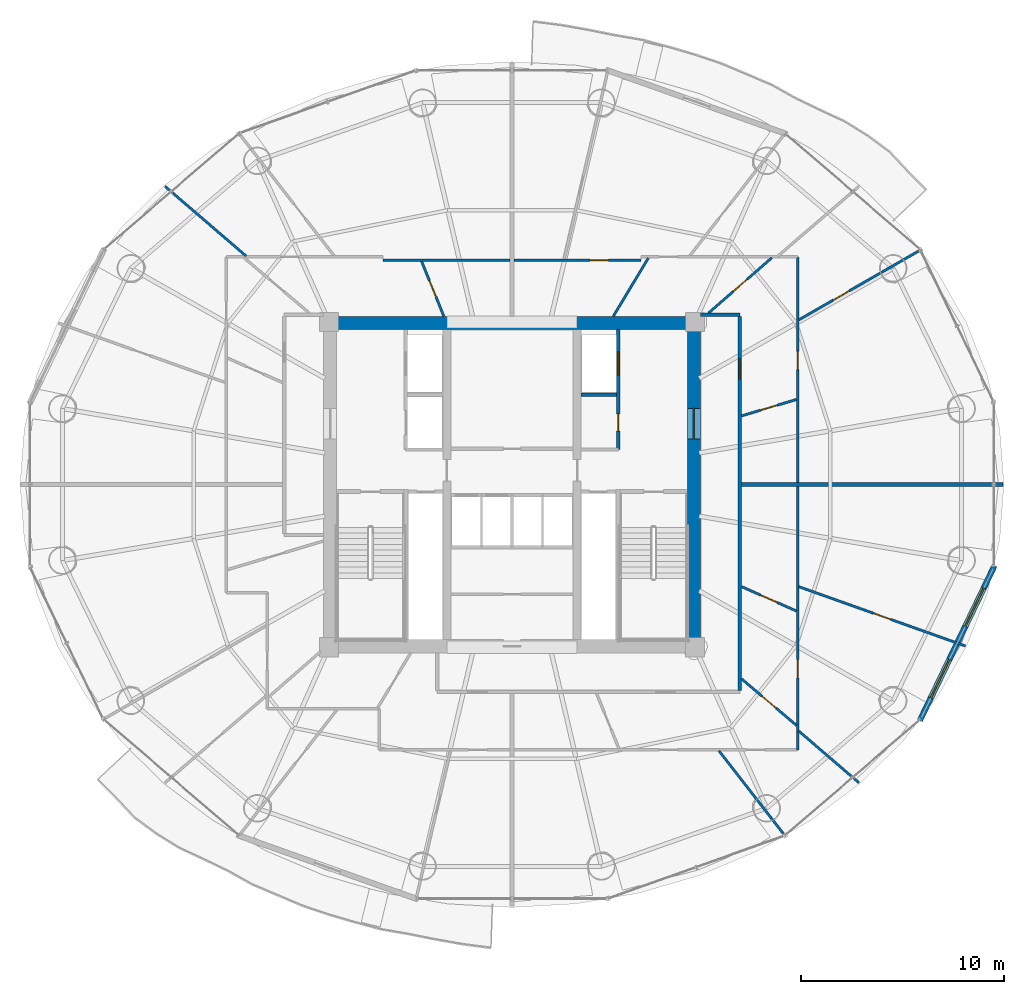
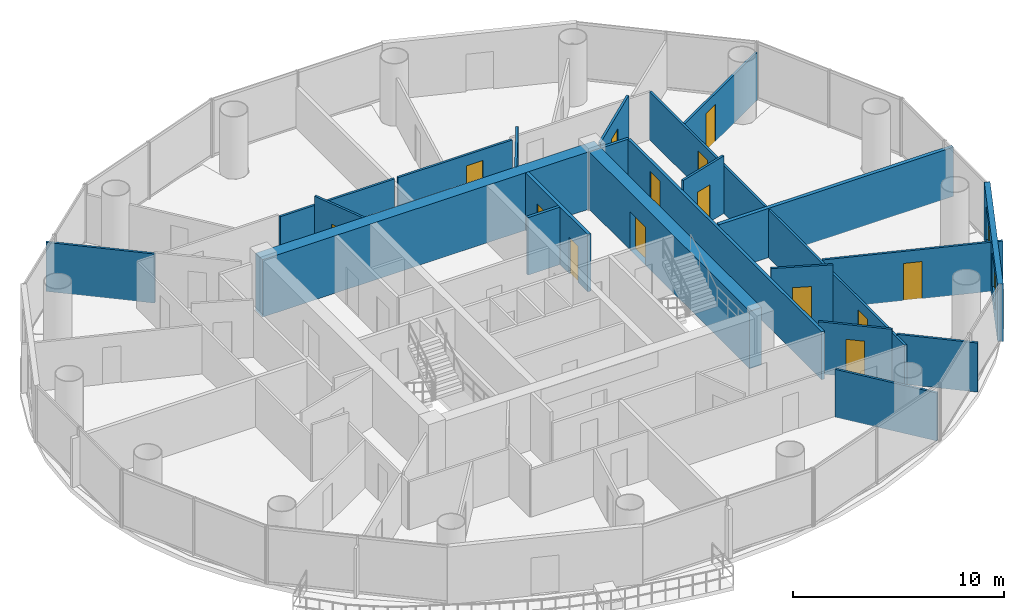
# One storey, part 23 of 27: 23 walls, 14 doors, 2 windows, 16 openings.
"""IFC4 building model written with IfcOpenShell, lengths in metres."""

import ifcopenshell
import ifcopenshell.guid

model = None  # the IFC model being written
_history = None  # IfcOwnerHistory: only IFC2X3 demands one
_inside = {}  # id of a spatial element -> (the spatial element, [elements in it])
_under = {}  # id of a project, library or spatial element -> (it, [spatial elements below it])
_declared = {}  # id of a project -> (the project, [libraries it declares])
_typed = {}  # id of a type object -> (the type object, [elements of that type])
_made_of = {}  # id of a material, layer set ... -> (it, [elements and type objects made of it])


def new_model(schema):
    """Start an empty IFC model of exactly this schema.

    Asked for "IFC4X3", IfcOpenShell would pick the latest addendum, in which some entities
    have other attributes; the version numbers below select the first issue.
    IFC2X3 requires an IfcOwnerHistory on every rooted entity: one is made here for all.
    """
    global model, _history
    if schema == "IFC4X3":
        model = ifcopenshell.file(schema_version=(4, 3, 0, 0))
    else:
        model = ifcopenshell.file(schema=schema)
    _inside.clear()
    _under.clear()
    _declared.clear()
    _typed.clear()
    _made_of.clear()
    _history = None
    if model.schema == "IFC2X3":
        org = make("IfcOrganization", Name="unknown")
        user = make(
            "IfcPersonAndOrganization",
            ThePerson=make("IfcPerson", FamilyName="unknown"),
            TheOrganization=org,
        )
        app = make(
            "IfcApplication",
            ApplicationDeveloper=org,
            Version="unknown",
            ApplicationFullName="unknown",
            ApplicationIdentifier="unknown",
        )
        _history = make(
            "IfcOwnerHistory",
            OwningUser=user,
            OwningApplication=app,
            ChangeAction="ADDED",
            CreationDate=0,
        )
    return model


def make(cls, **values):
    """One entity of the class cls with the attributes given. An attribute that is None is left unset."""
    return model.create_entity(
        cls, **{name: value for name, value in values.items() if value is not None}
    )


def rooted(cls, **values):
    """An entity with a GlobalId (a new one), such as an element, a storey or a relation."""
    return make(cls, GlobalId=ifcopenshell.guid.new(), OwnerHistory=_history, **values)


def si_unit(unit_type, name, prefix=None):
    """IfcSIUnit, for example si_unit("LENGTHUNIT", "METRE", prefix="MILLI")."""
    return make("IfcSIUnit", UnitType=unit_type, Prefix=prefix, Name=name)


def assignment(units):
    """IfcUnitAssignment: the units of a project."""
    return None if units is None else make("IfcUnitAssignment", Units=units)


def point(xyz):
    """IfcCartesianPoint."""
    return None if xyz is None else make("IfcCartesianPoint", Coordinates=xyz)


def direction(xyz):
    """IfcDirection."""
    return None if xyz is None else make("IfcDirection", DirectionRatios=xyz)


def frame(location, z_axis=None, x_axis=None):
    """IfcAxis2Placement3D, a coordinate frame: its origin and axes. An axis left out is left unset."""
    return make(
        "IfcAxis2Placement3D",
        Location=point(location),
        Axis=direction(z_axis),
        RefDirection=direction(x_axis),
    )


def frame_2d(location, x_axis=None):
    """IfcAxis2Placement2D, a coordinate frame in the plane: its origin and x axis."""
    return make(
        "IfcAxis2Placement2D", Location=point(location), RefDirection=direction(x_axis)
    )


def origin():
    """The frame at (0, 0, 0) with its axes left unset."""
    return frame((0.0, 0.0, 0.0))


def place(relative_to, where):
    """IfcLocalPlacement: puts the frame where relative to a parent placement (None: the world)."""
    return make(
        "IfcLocalPlacement", PlacementRelTo=relative_to, RelativePlacement=where
    )


def context(
    kind, dimensions, precision=None, world=None, true_north=None, identifier=None
):
    """IfcGeometricRepresentationContext, for example the 3D "Model" context."""
    return make(
        "IfcGeometricRepresentationContext",
        ContextIdentifier=identifier,
        ContextType=kind,
        CoordinateSpaceDimension=dimensions,
        Precision=precision,
        WorldCoordinateSystem=world,
        TrueNorth=true_north,
    )


def subcontext(parent, identifier, kind, view, scale=None):
    """IfcGeometricRepresentationSubContext, for example "Body" below "Model"."""
    return make(
        "IfcGeometricRepresentationSubContext",
        ContextIdentifier=identifier,
        ContextType=kind,
        ParentContext=parent,
        TargetScale=scale,
        TargetView=view,
    )


def project(units=None, contexts=None):
    """IfcProject with its units and contexts."""
    return rooted(
        "IfcProject",
        Name="project",
        RepresentationContexts=contexts,
        UnitsInContext=assignment(units),
    )


def spatial(cls, under=None, at=None, **own):
    """A site, building, storey or space (cls), placed at a placement, below another one or the project."""
    s = rooted(cls, ObjectPlacement=at, **own)
    if under is not None:
        _under.setdefault(under.id(), (under, []))[1].append(s)
    return s


def profile(cls, at=None, kind="AREA", **sizes):
    """A parametric profile (cls). Its sizes go by their IFC names, for example OverallWidth=200.0."""
    return make(cls, ProfileType=kind, Position=at, **sizes)


def rectangle(**sizes):
    """IfcRectangleProfileDef."""
    return profile("IfcRectangleProfileDef", **sizes)


def extrude(swept, where, along, depth):
    """IfcExtrudedAreaSolid: the profile swept, set in the frame where, extruded along a direction by depth."""
    return make(
        "IfcExtrudedAreaSolid",
        SweptArea=swept,
        Position=where,
        ExtrudedDirection=direction(along),
        Depth=depth,
    )


def shape(context_of_items, identifier, shape_type, items):
    """IfcShapeRepresentation: the items that make up one representation, for example the "Body"."""
    return make(
        "IfcShapeRepresentation",
        ContextOfItems=context_of_items,
        RepresentationIdentifier=identifier,
        RepresentationType=shape_type,
        Items=items,
    )


def source(mapping_origin, context_of_items, identifier, shape_type, items):
    """IfcRepresentationMap: a shape defined once, which mapped items show again and again."""
    return make(
        "IfcRepresentationMap",
        MappingOrigin=mapping_origin,
        MappedRepresentation=shape(context_of_items, identifier, shape_type, items),
    )


def transform(
    local_origin,
    x_axis=None,
    y_axis=None,
    z_axis=None,
    scale=None,
    scale2=None,
    scale3=None,
    uniform=True,
):
    """IfcCartesianTransformationOperator3D, or its non-uniform kind. x_axis, y_axis, z_axis: its Axis1, 2, 3."""
    if uniform:
        return make(
            "IfcCartesianTransformationOperator3D",
            Axis1=direction(x_axis),
            Axis2=direction(y_axis),
            LocalOrigin=point(local_origin),
            Scale=scale,
            Axis3=direction(z_axis),
        )
    return make(
        "IfcCartesianTransformationOperator3DnonUniform",
        Axis1=direction(x_axis),
        Axis2=direction(y_axis),
        LocalOrigin=point(local_origin),
        Scale=scale,
        Axis3=direction(z_axis),
        Scale2=scale2,
        Scale3=scale3,
    )


def mapped(mapping_source, mapping_target):
    """IfcMappedItem: shows the shape of a source again, moved by a transform."""
    return make(
        "IfcMappedItem", MappingSource=mapping_source, MappingTarget=mapping_target
    )


def material(Name=None, Category=None):
    """IfcMaterial."""
    return make("IfcMaterial", Name=Name, Category=Category)


def layer(
    of_material, thickness, ventilated=None, Name=None, Category=None, Priority=None
):
    """IfcMaterialLayer: one layer of a wall or slab, of a material (None: an air gap)."""
    return make(
        "IfcMaterialLayer",
        Material=of_material,
        LayerThickness=thickness,
        IsVentilated=ventilated,
        Name=Name,
        Category=Category,
        Priority=Priority,
    )


def layer_set(layers, Name=None):
    """IfcMaterialLayerSet."""
    return make("IfcMaterialLayerSet", MaterialLayers=layers, LayerSetName=Name)


def made_of(thing, what):
    """Note that an element or type object is made of a material, layer set ...; save() writes the relation."""
    if what is not None:
        _made_of.setdefault(what.id(), (what, []))[1].append(thing)
    return thing


def type_object(cls, material=None, **own):
    """A type object (cls), such as IfcWallType, which elements share."""
    return made_of(rooted(cls, **own), material)


def element(
    cls,
    number,
    at=None,
    inside=None,
    cuts=None,
    type_object=None,
    material=None,
    context=None,
    identifier="Body",
    shape_type=None,
    held_by="IfcProductDefinitionShape",
    body=None,
    shapes=None,
    **own,
):
    """One element of the class cls, such as IfcWall. Its Tag is "e" and its number.

    at: its placement. inside: the storey or other place that contains it. cuts: it is an
    opening in that element (IfcRelVoidsElement). A single representation is given by context,
    identifier, shape_type and body (its items); several are given by shapes. held_by: the class
    of the entity that holds the representations. save() writes the other relations.
    """
    e = rooted(cls, Tag="e%d" % number, ObjectPlacement=at, **own)
    if body is not None:
        shapes = [shape(context, identifier, shape_type, body)]
    if shapes is not None:
        e.Representation = make(held_by, Representations=shapes)
    if inside is not None:
        _inside.setdefault(inside.id(), (inside, []))[1].append(e)
    if cuts is not None:
        rooted(
            "IfcRelVoidsElement", RelatingBuildingElement=cuts, RelatedOpeningElement=e
        )
    if type_object is not None:
        _typed.setdefault(type_object.id(), (type_object, []))[1].append(e)
    return made_of(e, material)


def fill(opening, filler):
    """IfcRelFillsElement: the door or window that sits in an opening."""
    return rooted(
        "IfcRelFillsElement",
        RelatingOpeningElement=opening,
        RelatedBuildingElement=filler,
    )


def aggregate(whole, parts):
    """IfcRelAggregates: a whole, such as a stair, and the parts it consists of."""
    return rooted("IfcRelAggregates", RelatingObject=whole, RelatedObjects=parts)


def save(model, path):
    """Write the relations noted so far, then the file.

    IfcRelAggregates (storeys below a building ...), IfcRelContainedInSpatialStructure (elements
    in a storey), IfcRelDefinesByType, IfcRelAssociatesMaterial and IfcRelDeclares: one each for
    every whole, place, type object, material and project.
    """
    for whole, parts in _under.values():
        aggregate(whole, parts)
    for where, things in _inside.values():
        rooted(
            "IfcRelContainedInSpatialStructure",
            RelatedElements=things,
            RelatingStructure=where,
        )
    for kind, things in _typed.values():
        rooted("IfcRelDefinesByType", RelatedObjects=things, RelatingType=kind)
    for what, things in _made_of.values():
        rooted("IfcRelAssociatesMaterial", RelatedObjects=things, RelatingMaterial=what)
    for by, libraries in _declared.values():
        rooted("IfcRelDeclares", RelatingContext=by, RelatedDefinitions=libraries)
    model.write(path)


model = new_model("IFC4")

# Units and contexts
model_context = context("Model", 3, precision=1e-05, world=origin(), true_north=direction((-0.2419218956, 0.970295726276)))
body_context = subcontext(model_context, "Body", "Model", "MODEL_VIEW")
ifc_project = project(units=[si_unit("LENGTHUNIT", "METRE"), si_unit("AREAUNIT", "SQUARE_METRE"), si_unit("VOLUMEUNIT", "CUBIC_METRE"), si_unit("PLANEANGLEUNIT", "RADIAN"), si_unit("MASSUNIT", "GRAM", prefix="KILO")], contexts=[model_context])

# Site, building, storey
site_placement = place(None, origin())
site = spatial("IfcSite", under=ifc_project, at=site_placement, CompositionType="ELEMENT")
building_placement = place(site_placement, origin())
building = spatial("IfcBuilding", under=site, at=building_placement, Name="Cobrevalo Terracotta Tower", CompositionType="ELEMENT")
storey_placement = place(building_placement, frame((0.0, 0.0, 157.0)))
storey = spatial("IfcBuildingStorey", under=building, at=storey_placement, Name="L41", CompositionType="ELEMENT", Elevation=157.0)

# Wall
ifc_material_1 = material(Name="Concrete C55", Category="concrete")
ifc_layer_1 = layer(ifc_material_1, 0.64990234375)
ifc_layer_set_1 = layer_set([ifc_layer_1], Name="Concrete C55")
wall_type_1 = type_object("IfcWallType", Name="Core shear wall 650 mm Concrete C55", PredefinedType="SHEAR", material=ifc_layer_set_1)
wall_1_placement = place(storey_placement, frame((28.72509765625, 34.75, 0.0), z_axis=(0.0, 0.0, 1.0), x_axis=(1.0, 0.0, 0.0)))
element("IfcWall", 1, at=wall_1_placement, inside=storey, type_object=wall_type_1, Name="L41 north core shear wall", PredefinedType="SHEAR", context=body_context, shape_type="SweptSolid", body=[
    extrude(rectangle(XDim=18.5498046875, YDim=0.64990234375, at=frame_2d((9.27490234375, 0.0))), origin(), (0.0, 0.0, 1.0), 3.330078125),
])

# Wall, opening, door
wall_2_placement = place(storey_placement, frame((46.949951171875, 19.175048828125, 0.0), z_axis=(0.0, 0.0, 1.0), x_axis=(0.0, 1.0, 0.0)))
wall_2 = element("IfcWall", 2, at=wall_2_placement, inside=storey, type_object=wall_type_1, Name="L41 east core shear wall", PredefinedType="SHEAR", context=body_context, shape_type="SweptSolid", body=[
    extrude(rectangle(XDim=15.25, YDim=0.64990234375, at=frame_2d((7.625, 0.0))), origin(), (0.0, 0.0, 1.0), 3.330078125),
])
opening_1_placement = place(wall_2_placement, frame((9.875, 0.0, 0.0)))
opening_1 = element("IfcOpeningElement", 3, at=opening_1_placement, cuts=wall_2, Name="Opening ID-14", PredefinedType="OPENING", context=body_context, shape_type="SweptSolid", body=[
    extrude(rectangle(XDim=1.5, YDim=2.199951171875, at=frame_2d((0.75, 1.10009765625))), frame((0.0, 0.3349609375, 0.0), z_axis=(0.0, -1.0, 0.0), x_axis=(1.0, 0.0, 0.0)), (0.0, 0.0, 1.0), 0.669921875),
])
ifc_material_2 = material(Name="Galvanized fire-rated steel", Category="steel")
door_type_1 = type_object("IfcDoorType", Name="Core cross-lobby double fire door 1500x2200 EI 90", OperationType="NOTDEFINED", PredefinedType="DOOR", material=ifc_material_2)
shared_shape_1 = source(origin(), body_context, "Body", "SweptSolid", [
    extrude(rectangle(XDim=1.5, YDim=2.199951171875, at=frame_2d((0.75, 1.10009765625))), frame((0.0, 0.02490234375, 0.0), z_axis=(0.0, -1.0, 0.0), x_axis=(1.0, 0.0, 0.0)), (0.0, 0.0, 1.0), 0.050048828125),
])
door_1_placement = place(opening_1_placement, frame((1.5, 0.0, 0.0), z_axis=(0.0, 0.0, 1.0), x_axis=(-1.0, 0.0, 0.0)))
door_1 = element("IfcDoor", 4, at=door_1_placement, inside=storey, type_object=door_type_1, Name="L41 east firefighting lobby entrance door", OperationType="DOUBLE_DOOR_SINGLE_SWING", OverallHeight=2.199951171875, OverallWidth=1.5, PredefinedType="DOOR", context=body_context, shape_type="MappedRepresentation", body=[
    mapped(shared_shape_1, transform((0.0, 0.0, 0.0), scale=1.0)),
])
fill(opening_1, door_1)

# Wall
ifc_material_3 = material(Name="Gypsum board on steel stud", Category="steel")
ifc_layer_2 = layer(ifc_material_3, 0.159912109375)
ifc_layer_set_2 = layer_set([ifc_layer_2], Name="Gypsum board on steel stud")
wall_type_2 = type_object("IfcWallType", Name="Fire-rated corridor acoustic partition wall 160 mm", PredefinedType="PARTITIONING", material=ifc_layer_set_2)
wall_3_placement = place(storey_placement, frame((41.389892578125, 31.219970703125, 0.0), z_axis=(0.0, 0.0, 1.0), x_axis=(1.0, 0.0, 0.0)))
element("IfcWall", 5, at=wall_3_placement, inside=storey, type_object=wall_type_2, Name="L41 interior partition IW-L41-FF2-M", PredefinedType="PARTITIONING", context=body_context, shape_type="SweptSolid", body=[
    extrude(rectangle(XDim=1.75, YDim=0.159912109375, at=frame_2d((0.875, 0.0))), origin(), (0.0, 0.0, 1.0), 3.330078125),
])

# Wall, opening, door
wall_4_placement = place(storey_placement, frame((49.205078125, 16.675048828125, 0.0), z_axis=(0.0, 0.0, 1.0), x_axis=(0.0, 1.0, 0.0)))
wall_4 = element("IfcWall", 6, at=wall_4_placement, inside=storey, type_object=wall_type_2, Name="L41 interior partition IW-L41-COR-E", PredefinedType="PARTITIONING", context=body_context, shape_type="SweptSolid", body=[
    extrude(rectangle(XDim=18.39990234375, YDim=0.159912109375, at=frame_2d((9.199951171875, 0.0))), origin(), (0.0, 0.0, 1.0), 2.77587890625),
])
opening_2_placement = place(wall_4_placement, frame((15.326416015625, 0.0, 0.0)))
opening_2 = element("IfcOpeningElement", 7, at=opening_2_placement, cuts=wall_4, Name="Opening ID-05", PredefinedType="OPENING", context=body_context, shape_type="SweptSolid", body=[
    extrude(rectangle(XDim=0.97998046875, YDim=2.199951171875, at=frame_2d((0.489990234375, 1.10009765625))), frame((0.0, 0.08984375, 0.0), z_axis=(0.0, -1.0, 0.0), x_axis=(1.0, 0.0, 0.0)), (0.0, 0.0, 1.0), 0.179931640625),
])
ifc_material_4 = material(Name="Solid hardwood timber", Category="wood")
door_type_2 = type_object("IfcDoorType", Name="Residence entrance fire-rated acoustic timber door 980x2200 EI 60", OperationType="NOTDEFINED", PredefinedType="DOOR", material=ifc_material_4)
shared_shape_2 = source(origin(), body_context, "Body", "SweptSolid", [
    extrude(rectangle(XDim=0.97998046875, YDim=2.199951171875, at=frame_2d((0.489990234375, 1.10009765625))), frame((0.0, 0.02490234375, 0.0), z_axis=(0.0, -1.0, 0.0), x_axis=(1.0, 0.0, 0.0)), (0.0, 0.0, 1.0), 0.050048828125),
])
door_2_placement = place(opening_2_placement, frame((0.97998046875, 0.0, 0.0), z_axis=(0.0, 0.0, 1.0), x_axis=(-1.0, 0.0, 0.0)))
door_2 = element("IfcDoor", 8, at=door_2_placement, inside=storey, type_object=door_type_2, Name="Flat L41A fire-rated apartment entrance door", OperationType="SINGLE_SWING_LEFT", OverallHeight=2.199951171875, OverallWidth=0.97998046875, PredefinedType="DOOR", context=body_context, shape_type="MappedRepresentation", body=[
    mapped(shared_shape_2, transform((0.0, 0.0, 0.0), scale=1.0)),
])
fill(opening_2, door_2)

# Wall
wall_5_placement = place(storey_placement, frame((47.27490234375, 35.155029296875, 0.0), z_axis=(0.0, 0.0, 1.0), x_axis=(1.0, 0.0, 0.0)))
element("IfcWall", 9, at=wall_5_placement, inside=storey, type_object=wall_type_2, Name="L41 interior partition IW-L41-COR-EN-CAP", PredefinedType="PARTITIONING", context=body_context, shape_type="SweptSolid", body=[
    extrude(rectangle(XDim=1.93017578125, YDim=0.159912109375, at=frame_2d((0.965087890625, 0.0))), origin(), (0.0, 0.0, 1.0), 2.77587890625),
])

# Wall, openings, doors
ifc_layer_3 = layer(ifc_material_3, 0.179931640625)
ifc_layer_set_3 = layer_set([ifc_layer_3], Name="Gypsum board on steel stud")
wall_type_3 = type_object("IfcWallType", Name="Fire-rated shaft & lobby acoustic partition wall 180 mm", PredefinedType="PARTITIONING", material=ifc_layer_set_3)
wall_6_placement = place(storey_placement, frame((43.22998046875, 28.52001953125, 0.0), z_axis=(0.0, 0.0, 1.0), x_axis=(0.0, 1.0, 0.0)))
wall_6 = element("IfcWall", 10, at=wall_6_placement, inside=storey, type_object=wall_type_3, Name="L41 interior partition IW-L41-FF2-E", PredefinedType="PARTITIONING", context=body_context, shape_type="SweptSolid", body=[
    extrude(rectangle(XDim=5.905029296875, YDim=0.179931640625, at=frame_2d((2.95263671875, 0.0))), origin(), (0.0, 0.0, 1.0), 3.330078125),
])
opening_3_placement = place(wall_6_placement, frame((0.905029296875, 0.0, 0.0)))
opening_3 = element("IfcOpeningElement", 11, at=opening_3_placement, cuts=wall_6, Name="Opening ID-22", PredefinedType="OPENING", context=body_context, shape_type="SweptSolid", body=[
    extrude(rectangle(XDim=0.85009765625, YDim=2.10009765625, at=frame_2d((0.425048828125, 1.050048828125))), frame((0.0, 0.10009765625, 0.0), z_axis=(0.0, -1.0, 0.0), x_axis=(1.0, 0.0, 0.0)), (0.0, 0.0, 1.0), 0.199951171875),
])
opening_4_placement = place(wall_6_placement, frame((3.655029296875, 0.0, 0.0)))
opening_4 = element("IfcOpeningElement", 12, at=opening_4_placement, cuts=wall_6, Name="Opening LD-02", PredefinedType="OPENING", context=body_context, shape_type="SweptSolid", body=[
    extrude(rectangle(XDim=1.14990234375, YDim=2.199951171875, at=frame_2d((0.574951171875, 1.10009765625))), frame((0.0, 0.10009765625, 0.0), z_axis=(0.0, -1.0, 0.0), x_axis=(1.0, 0.0, 0.0)), (0.0, 0.0, 1.0), 0.199951171875),
])
ifc_material_5 = material(Name="Powder-coated steel", Category="steel")
door_type_3 = type_object("IfcDoorType", Name="Riser shaft & meter closet fire access door 850x2100 EI 60", OperationType="NOTDEFINED", PredefinedType="DOOR", material=ifc_material_5)
shared_shape_3 = source(origin(), body_context, "Body", "SweptSolid", [
    extrude(rectangle(XDim=0.85009765625, YDim=2.10009765625, at=frame_2d((0.425048828125, 1.050048828125))), frame((0.0, 0.02490234375, 0.0), z_axis=(0.0, -1.0, 0.0), x_axis=(1.0, 0.0, 0.0)), (0.0, 0.0, 1.0), 0.050048828125),
])
door_3_placement = place(opening_3_placement, frame((0.85009765625, 0.0, 0.0), z_axis=(0.0, 0.0, 1.0), x_axis=(-1.0, 0.0, 0.0)))
door_3 = element("IfcDoor", 13, at=door_3_placement, inside=storey, type_object=door_type_3, Name="L41 housekeeping store door", OperationType="SINGLE_SWING_RIGHT", OverallHeight=2.10009765625, OverallWidth=0.85009765625, PredefinedType="DOOR", context=body_context, shape_type="MappedRepresentation", body=[
    mapped(shared_shape_3, transform((0.0, 0.0, 0.0), scale=1.0)),
])
fill(opening_3, door_3)
ifc_material_6 = material(Name="Brushed stainless steel", Category="steel")
door_type_4 = type_object("IfcDoorType", Name="Firefighting lift landing bi-parting sliding door 1150x2200 EI 120", OperationType="DOUBLE_DOOR_SLIDING", PredefinedType="DOOR", material=ifc_material_6)
shared_shape_4 = source(origin(), body_context, "Body", "SweptSolid", [
    extrude(rectangle(XDim=1.14990234375, YDim=2.199951171875, at=frame_2d((0.574951171875, 1.10009765625))), frame((0.0, 0.02490234375, 0.0), z_axis=(0.0, -1.0, 0.0), x_axis=(1.0, 0.0, 0.0)), (0.0, 0.0, 1.0), 0.050048828125),
])
door_4_placement = place(opening_4_placement, origin())
door_4 = element("IfcDoor", 14, at=door_4_placement, inside=storey, type_object=door_type_4, Name="L41 lift landing door FF-2", OperationType="DOUBLE_DOOR_SLIDING", OverallHeight=2.199951171875, OverallWidth=1.14990234375, PredefinedType="DOOR", context=body_context, shape_type="MappedRepresentation", body=[
    mapped(shared_shape_4, transform((0.0, 0.0, 0.0), scale=1.0)),
])
fill(opening_4, door_4)

# Wall
ifc_material_7 = material(Name="Autoclaved aerated concrete block", Category="concrete")
ifc_layer_4 = layer(ifc_material_7, 0.199951171875)
ifc_layer_set_4 = layer_set([ifc_layer_4], Name="Autoclaved aerated concrete block")
wall_type_4 = type_object("IfcWallType", Name="Fire-rated stair, shaft & demising masonry wall 200 mm", PredefinedType="PARTITIONING", material=ifc_layer_set_4)
wall_7_placement = place(storey_placement, frame((49.287109375, 26.800048828125, 0.0), z_axis=(0.0, 0.0, 1.0), x_axis=(1.0, 0.0, 0.0)))
element("IfcWall", 15, at=wall_7_placement, inside=storey, type_object=wall_type_4, Name="L41 interior partition IW-L41-DEM-1", PredefinedType="PARTITIONING", context=body_context, shape_type="SweptSolid", body=[
    extrude(rectangle(XDim=12.852783203125, YDim=0.199951171875, at=frame_2d((6.42626953125, 0.0))), origin(), (0.0, 0.0, 1.0), 2.845947265625),
])

# Wall, openings, windows
ifc_layer_5 = layer(ifc_material_7, 0.280029296875)
ifc_layer_set_5 = layer_set([ifc_layer_5], Name="Autoclaved aerated concrete block")
wall_type_5 = type_object("IfcWallType", Name="Insulated tower spandrel & pier wall 280 mm with terracotta rainscreen", PredefinedType="SOLIDWALL", material=ifc_layer_set_5)
wall_8_placement = place(storey_placement, frame((58.061767578125, 15.188720703125, 0.0), z_axis=(0.0, 0.0, 1.0), x_axis=(0.434209827226, 0.900811759437, 0.0)))
wall_8 = element("IfcWall", 16, at=wall_8_placement, inside=storey, type_object=wall_type_5, Name="L41 terracotta rainscreen pier wall S15", PredefinedType="SOLIDWALL", context=body_context, shape_type="SweptSolid", body=[
    extrude(rectangle(XDim=8.4716796875, YDim=0.280029296875, at=frame_2d((4.23583984375, 0.0))), origin(), (0.0, 0.0, 1.0), 3.330078125),
])
opening_5_placement = place(wall_8_placement, frame((1.2373046875, 0.0, 0.85009765625)))
opening_5 = element("IfcOpeningElement", 17, at=opening_5_placement, cuts=wall_8, Name="Opening WN-10", PredefinedType="OPENING", context=body_context, shape_type="SweptSolid", body=[
    extrude(rectangle(XDim=2.10009765625, YDim=1.949951171875, at=frame_2d((1.050048828125, 0.97509765625))), frame((0.0, 0.14990234375, 0.0), z_axis=(0.0, -1.0, 0.0), x_axis=(1.0, 0.0, 0.0)), (0.0, 0.0, 1.0), 0.300048828125),
])
opening_6_placement = place(wall_8_placement, frame((5.13427734375, 0.0, 0.85009765625)))
opening_6 = element("IfcOpeningElement", 18, at=opening_6_placement, cuts=wall_8, Name="Opening WN-10", PredefinedType="OPENING", context=body_context, shape_type="SweptSolid", body=[
    extrude(rectangle(XDim=2.10009765625, YDim=1.949951171875, at=frame_2d((1.050048828125, 0.97509765625))), frame((0.0, 0.14990234375, 0.0), z_axis=(0.0, -1.0, 0.0), x_axis=(1.0, 0.0, 0.0)), (0.0, 0.0, 1.0), 0.300048828125),
])
ifc_material_8 = material(Name="Solar-control low-E double glazing", Category="glass")
window_type = type_object("IfcWindowType", Name="Wide panoramic low-E aluminium window 2100x1950", PartitioningType="SINGLE_PANEL", PredefinedType="WINDOW", material=ifc_material_8)
shared_shape_5 = source(origin(), body_context, "Body", "SweptSolid", [
    extrude(rectangle(XDim=2.10009765625, YDim=1.949951171875, at=frame_2d((1.050048828125, 0.97509765625))), frame((0.0, 0.030029296875, 0.0), z_axis=(0.0, -1.0, 0.0), x_axis=(1.0, 0.0, 0.0)), (0.0, 0.0, 1.0), 0.06005859375),
])
window_1_placement = place(opening_5_placement, origin())
window_1 = element("IfcWindow", 19, at=window_1_placement, inside=storey, type_object=window_type, Name="L41 suite window S15A", OverallHeight=1.949951171875, OverallWidth=2.10009765625, PartitioningType="SINGLE_PANEL", PredefinedType="WINDOW", context=body_context, shape_type="MappedRepresentation", body=[
    mapped(shared_shape_5, transform((0.0, 0.0, 0.0), scale=1.0)),
])
fill(opening_5, window_1)
window_2_placement = place(opening_6_placement, origin())
window_2 = element("IfcWindow", 20, at=window_2_placement, inside=storey, type_object=window_type, Name="L41 suite window S15B", OverallHeight=1.949951171875, OverallWidth=2.10009765625, PartitioningType="SINGLE_PANEL", PredefinedType="WINDOW", context=body_context, shape_type="MappedRepresentation", body=[
    mapped(shared_shape_5, transform((0.0, 0.0, 0.0), scale=1.0)),
])
fill(opening_6, window_2)

# Wall, opening, door
ifc_layer_6 = layer(ifc_material_3, 0.1201171875)
ifc_layer_set_6 = layer_set([ifc_layer_6], Name="Gypsum board on steel stud")
wall_type_6 = type_object("IfcWallType", Name="Residential internal acoustic stud partition 120 mm", PredefinedType="PARTITIONING", material=ifc_layer_set_6)
wall_9_placement = place(storey_placement, frame((38.10205078125, 37.8349609375, 0.0), z_axis=(0.0, 0.0, 1.0), x_axis=(1.0, 0.0, 0.0)))
wall_9 = element("IfcWall", 21, at=wall_9_placement, inside=storey, type_object=wall_type_6, Name="L41 interior partition IW-L41-U1-RING0_0", PredefinedType="PARTITIONING", context=body_context, shape_type="SweptSolid", body=[
    extrude(rectangle(XDim=6.2529296875, YDim=0.1201171875, at=frame_2d((3.12646484375, 0.0))), origin(), (0.0, 0.0, 1.0), 2.77587890625),
])
opening_7_placement = place(wall_9_placement, frame((3.742431640625, 0.0, 0.0)))
opening_7 = element("IfcOpeningElement", 22, at=opening_7_placement, cuts=wall_9, Name="Opening ID-12", PredefinedType="OPENING", context=body_context, shape_type="SweptSolid", body=[
    extrude(rectangle(XDim=0.89990234375, YDim=2.14990234375, at=frame_2d((0.449951171875, 1.074951171875))), frame((0.0, 0.070068359375, 0.0), z_axis=(0.0, -1.0, 0.0), x_axis=(1.0, 0.0, 0.0)), (0.0, 0.0, 1.0), 0.14013671875),
])
ifc_material_9 = material(Name="Engineered timber", Category="wood")
door_type_5 = type_object("IfcDoorType", Name="Internal residence & suite timber door 900x2150", OperationType="NOTDEFINED", PredefinedType="DOOR", material=ifc_material_9)
shared_shape_6 = source(origin(), body_context, "Body", "SweptSolid", [
    extrude(rectangle(XDim=0.89990234375, YDim=2.14990234375, at=frame_2d((0.449951171875, 1.074951171875))), frame((0.0, 0.02490234375, 0.0), z_axis=(0.0, -1.0, 0.0), x_axis=(1.0, 0.0, 0.0)), (0.0, 0.0, 1.0), 0.050048828125),
])
door_5_placement = place(opening_7_placement, frame((0.89990234375, 0.0, 0.0), z_axis=(0.0, 0.0, 1.0), x_axis=(-1.0, 0.0, 0.0)))
door_5 = element("IfcDoor", 23, at=door_5_placement, inside=storey, type_object=door_type_5, Name="Flat L41A Private Library Meeting Room internal door", OperationType="SINGLE_SWING_RIGHT", OverallHeight=2.14990234375, OverallWidth=0.89990234375, PredefinedType="DOOR", context=body_context, shape_type="MappedRepresentation", body=[
    mapped(shared_shape_6, transform((0.0, 0.0, 0.0), scale=1.0)),
])
fill(opening_7, door_5)

wall_10_placement = place(storey_placement, frame((52.044921875, 37.9951171875, 0.0), z_axis=(0.0, 0.0, 1.0), x_axis=(0.0, -1.0, 0.0)))
wall_10 = element("IfcWall", 24, at=wall_10_placement, inside=storey, type_object=wall_type_6, Name="L41 interior partition IW-L41-U1-RING3_0", PredefinedType="PARTITIONING", context=body_context, shape_type="SweptSolid", body=[
    extrude(rectangle(XDim=11.093017578125, YDim=0.1201171875, at=frame_2d((5.54638671875, 0.0))), origin(), (0.0, 0.0, 1.0), 2.77587890625),
])
opening_8_placement = place(wall_10_placement, frame((4.637939453125, 0.0, 0.0)))
opening_8 = element("IfcOpeningElement", 25, at=opening_8_placement, cuts=wall_10, Name="Opening ID-12", PredefinedType="OPENING", context=body_context, shape_type="SweptSolid", body=[
    extrude(rectangle(XDim=0.89990234375, YDim=2.14990234375, at=frame_2d((0.449951171875, 1.074951171875))), frame((0.0, 0.070068359375, 0.0), z_axis=(0.0, -1.0, 0.0), x_axis=(1.0, 0.0, 0.0)), (0.0, 0.0, 1.0), 0.14013671875),
])
door_6_placement = place(opening_8_placement, origin())
door_6 = element("IfcDoor", 26, at=door_6_placement, inside=storey, type_object=door_type_5, Name="Flat L41A Penthouse Living and Dining Room internal door", OperationType="SINGLE_SWING_LEFT", OverallHeight=2.14990234375, OverallWidth=0.89990234375, PredefinedType="DOOR", context=body_context, shape_type="MappedRepresentation", body=[
    mapped(shared_shape_6, transform((0.0, 0.0, 0.0), scale=1.0)),
])
fill(opening_8, door_6)

wall_11_placement = place(storey_placement, frame((52.098876953125, 34.89697265625, 0.0), z_axis=(0.0, 0.0, 1.0), x_axis=(0.867170536447, 0.498011305813, 0.0)))
wall_11 = element("IfcWall", 27, at=wall_11_placement, inside=storey, type_object=wall_type_6, Name="L41 interior partition IW-L41-U1-ORAD1", PredefinedType="PARTITIONING", context=body_context, shape_type="SweptSolid", body=[
    extrude(rectangle(XDim=6.834228515625, YDim=0.1201171875, at=frame_2d((3.4169921875, 0.0))), origin(), (0.0, 0.0, 1.0), 2.77587890625),
])
opening_9_placement = place(wall_11_placement, frame((1.969482421875, 0.0, 0.0)))
opening_9 = element("IfcOpeningElement", 28, at=opening_9_placement, cuts=wall_11, Name="Opening ID-12", PredefinedType="OPENING", context=body_context, shape_type="SweptSolid", body=[
    extrude(rectangle(XDim=0.89990234375, YDim=2.14990234375, at=frame_2d((0.449951171875, 1.074951171875))), frame((0.0, 0.070068359375, 0.0), z_axis=(0.0, -1.0, 0.0), x_axis=(1.0, 0.0, 0.0)), (0.0, 0.0, 1.0), 0.14013671875),
])
door_7_placement = place(opening_9_placement, origin())
door_7 = element("IfcDoor", 29, at=door_7_placement, inside=storey, type_object=door_type_5, Name="Flat L41A Master Bedroom internal door", OperationType="SINGLE_SWING_LEFT", OverallHeight=2.14990234375, OverallWidth=0.89990234375, PredefinedType="DOOR", context=body_context, shape_type="MappedRepresentation", body=[
    mapped(shared_shape_6, transform((0.0, 0.0, 0.0), scale=1.0)),
])
fill(opening_9, door_7)

wall_12_placement = place(storey_placement, frame((49.286865234375, 30.176513671875, 0.0), z_axis=(0.0, 0.0, 1.0), x_axis=(0.958045462778, 0.28661627876, 0.0)))
wall_12 = element("IfcWall", 30, at=wall_12_placement, inside=storey, type_object=wall_type_6, Name="L41 interior partition IW-L41-U1-IRAD1", PredefinedType="PARTITIONING", context=body_context, shape_type="SweptSolid", body=[
    extrude(rectangle(XDim=2.81689453125, YDim=0.1201171875, at=frame_2d((1.408447265625, 0.0))), origin(), (0.0, 0.0, 1.0), 3.330078125),
])
opening_10_placement = place(wall_12_placement, frame((0.978515625, 0.0, 0.0)))
opening_10 = element("IfcOpeningElement", 31, at=opening_10_placement, cuts=wall_12, Name="Opening ID-19", PredefinedType="OPENING", context=body_context, shape_type="SweptSolid", body=[
    extrude(rectangle(XDim=0.860107421875, YDim=2.14990234375, at=frame_2d((0.43017578125, 1.074951171875))), frame((0.0, 0.070068359375, 0.0), z_axis=(0.0, -1.0, 0.0), x_axis=(1.0, 0.0, 0.0)), (0.0, 0.0, 1.0), 0.14013671875),
])
ifc_material_10 = material(Name="Moisture-sealed timber", Category="wood")
door_type_6 = type_object("IfcDoorType", Name="Suite bathroom internal timber door 860x2150", OperationType="NOTDEFINED", PredefinedType="DOOR", material=ifc_material_10)
shared_shape_7 = source(origin(), body_context, "Body", "SweptSolid", [
    extrude(rectangle(XDim=0.860107421875, YDim=2.14990234375, at=frame_2d((0.43017578125, 1.074951171875))), frame((0.0, 0.02490234375, 0.0), z_axis=(0.0, -1.0, 0.0), x_axis=(1.0, 0.0, 0.0)), (0.0, 0.0, 1.0), 0.050048828125),
])
door_8_placement = place(opening_10_placement, frame((0.860107421875, 0.0, 0.0), z_axis=(0.0, 0.0, 1.0), x_axis=(-1.0, 0.0, 0.0)))
door_8 = element("IfcDoor", 32, at=door_8_placement, inside=storey, type_object=door_type_6, Name="Flat L41A Primary Bathroom internal door", OperationType="SINGLE_SWING_RIGHT", OverallHeight=2.14990234375, OverallWidth=0.860107421875, PredefinedType="DOOR", context=body_context, shape_type="MappedRepresentation", body=[
    mapped(shared_shape_7, transform((0.0, 0.0, 0.0), scale=1.0)),
])
fill(opening_10, door_8)

wall_13_placement = place(storey_placement, frame((47.665283203125, 35.236328125, 0.0), z_axis=(0.0, 0.0, 1.0), x_axis=(0.753384754287, 0.657579966246, 0.0)))
wall_13 = element("IfcWall", 33, at=wall_13_placement, inside=storey, type_object=wall_type_6, Name="L41 interior partition IW-L41-U1-IRAD2", PredefinedType="PARTITIONING", context=body_context, shape_type="SweptSolid", body=[
    extrude(rectangle(XDim=4.13330078125, YDim=0.1201171875, at=frame_2d((2.066650390625, 0.0))), origin(), (0.0, 0.0, 1.0), 3.0048828125),
])
opening_11_placement = place(wall_13_placement, frame((1.61669921875, 0.0, 0.0)))
opening_11 = element("IfcOpeningElement", 34, at=opening_11_placement, cuts=wall_13, Name="Opening ID-12", PredefinedType="OPENING", context=body_context, shape_type="SweptSolid", body=[
    extrude(rectangle(XDim=0.89990234375, YDim=2.14990234375, at=frame_2d((0.449951171875, 1.074951171875))), frame((0.0, 0.070068359375, 0.0), z_axis=(0.0, -1.0, 0.0), x_axis=(1.0, 0.0, 0.0)), (0.0, 0.0, 1.0), 0.14013671875),
])
door_9_placement = place(opening_11_placement, origin())
door_9 = element("IfcDoor", 35, at=door_9_placement, inside=storey, type_object=door_type_5, Name="Flat L41A Kitchen internal door", OperationType="SINGLE_SWING_RIGHT", OverallHeight=2.14990234375, OverallWidth=0.89990234375, PredefinedType="DOOR", context=body_context, shape_type="MappedRepresentation", body=[
    mapped(shared_shape_6, transform((0.0, 0.0, 0.0), scale=1.0)),
])
fill(opening_11, door_9)

# Walls
wall_14_placement = place(storey_placement, frame((42.98046875, 35.074951171875, 0.0), z_axis=(0.0, 0.0, 1.0), x_axis=(0.515686235332, 0.856777512946, 0.0)))
element("IfcWall", 36, at=wall_14_placement, inside=storey, type_object=wall_type_6, Name="L41 interior partition IW-L41-U1-IRAD3", PredefinedType="PARTITIONING", context=body_context, shape_type="SweptSolid", body=[
    extrude(rectangle(XDim=3.34619140625, YDim=0.1201171875, at=frame_2d((1.673095703125, 0.0))), origin(), (0.0, 0.0, 1.0), 3.330078125),
])
wall_15_placement = place(storey_placement, frame((31.64501953125, 37.8349609375, 0.0), z_axis=(0.0, 0.0, 1.0), x_axis=(1.0, 0.0, 0.0)))
element("IfcWall", 37, at=wall_15_placement, inside=storey, type_object=wall_type_6, Name="L41 interior partition IW-L41-U2-RING3_0", PredefinedType="PARTITIONING", context=body_context, shape_type="SweptSolid", body=[
    extrude(rectangle(XDim=6.2529296875, YDim=0.1201171875, at=frame_2d((3.12646484375, 0.0))), origin(), (0.0, 0.0, 1.0), 2.77587890625),
])
wall_16_placement = place(storey_placement, frame((24.927978515625, 38.035400390625, 0.0), z_axis=(0.0, 0.0, 1.0), x_axis=(-0.758368609512, 0.65182593697, 0.0)))
element("IfcWall", 38, at=wall_16_placement, inside=storey, type_object=wall_type_6, Name="L41 interior partition IW-L41-U2-ORAD2M1", PredefinedType="PARTITIONING", context=body_context, shape_type="SweptSolid", body=[
    extrude(rectangle(XDim=5.263427734375, YDim=0.1201171875, at=frame_2d((2.6318359375, 0.0))), origin(), (0.0, 0.0, 1.0), 2.845947265625),
])

# Wall, opening, door
wall_17_placement = place(storey_placement, frame((34.64892578125, 35.074951171875, 0.0), z_axis=(0.0, 0.0, 1.0), x_axis=(-0.37535719187, 0.926880239573, 0.0)))
wall_17 = element("IfcWall", 39, at=wall_17_placement, inside=storey, type_object=wall_type_6, Name="L41 interior partition IW-L41-U2-IRAD1", PredefinedType="PARTITIONING", context=body_context, shape_type="SweptSolid", body=[
    extrude(rectangle(XDim=2.915771484375, YDim=0.1201171875, at=frame_2d((1.4580078125, 0.0))), origin(), (0.0, 0.0, 1.0), 3.330078125),
])
opening_12_placement = place(wall_17_placement, frame((1.02783203125, 0.0, 0.0)))
opening_12 = element("IfcOpeningElement", 40, at=opening_12_placement, cuts=wall_17, Name="Opening ID-19", PredefinedType="OPENING", context=body_context, shape_type="SweptSolid", body=[
    extrude(rectangle(XDim=0.860107421875, YDim=2.14990234375, at=frame_2d((0.43017578125, 1.074951171875))), frame((0.0, 0.070068359375, 0.0), z_axis=(0.0, -1.0, 0.0), x_axis=(1.0, 0.0, 0.0)), (0.0, 0.0, 1.0), 0.14013671875),
])
door_10_placement = place(opening_12_placement, frame((0.860107421875, 0.0, 0.0), z_axis=(0.0, 0.0, 1.0), x_axis=(-1.0, 0.0, 0.0)))
door_10 = element("IfcDoor", 41, at=door_10_placement, inside=storey, type_object=door_type_6, Name="Flat L41B Primary Bathroom internal door", OperationType="SINGLE_SWING_LEFT", OverallHeight=2.14990234375, OverallWidth=0.860107421875, PredefinedType="DOOR", context=body_context, shape_type="MappedRepresentation", body=[
    mapped(shared_shape_7, transform((0.0, 0.0, 0.0), scale=1.0)),
])
fill(opening_12, door_10)

wall_18_placement = place(storey_placement, frame((52.044921875, 26.697998046875, 0.0), z_axis=(0.0, 0.0, 1.0), x_axis=(0.0, -1.0, 0.0)))
wall_18 = element("IfcWall", 42, at=wall_18_placement, inside=storey, type_object=wall_type_6, Name="L41 interior partition IW-L41-U4-RING0_0", PredefinedType="PARTITIONING", context=body_context, shape_type="SweptSolid", body=[
    extrude(rectangle(XDim=12.943115234375, YDim=0.1201171875, at=frame_2d((6.4716796875, 0.0))), origin(), (0.0, 0.0, 1.0), 2.77587890625),
])
opening_13_placement = place(wall_18_placement, frame((8.502685546875, 0.0, 0.0)))
opening_13 = element("IfcOpeningElement", 43, at=opening_13_placement, cuts=wall_18, Name="Opening ID-12", PredefinedType="OPENING", context=body_context, shape_type="SweptSolid", body=[
    extrude(rectangle(XDim=0.89990234375, YDim=2.14990234375, at=frame_2d((0.449951171875, 1.074951171875))), frame((0.0, 0.070068359375, 0.0), z_axis=(0.0, -1.0, 0.0), x_axis=(1.0, 0.0, 0.0)), (0.0, 0.0, 1.0), 0.14013671875),
])
door_11_placement = place(opening_13_placement, origin())
door_11 = element("IfcDoor", 44, at=door_11_placement, inside=storey, type_object=door_type_5, Name="Flat L41D Principal Guest Bedroom internal door", OperationType="SINGLE_SWING_LEFT", OverallHeight=2.14990234375, OverallWidth=0.89990234375, PredefinedType="DOOR", context=body_context, shape_type="MappedRepresentation", body=[
    mapped(shared_shape_6, transform((0.0, 0.0, 0.0), scale=1.0)),
])
fill(opening_13, door_11)

# Walls
wall_19_placement = place(storey_placement, frame((48.17919921875, 13.7060546875, 0.0), z_axis=(0.0, 0.0, 1.0), x_axis=(0.613759011764, -0.789493429662, 0.0)))
element("IfcWall", 45, at=wall_19_placement, inside=storey, type_object=wall_type_6, Name="L41 interior partition IW-L41-U4-ORAD1", PredefinedType="PARTITIONING", context=body_context, shape_type="SweptSolid", body=[
    extrude(rectangle(XDim=5.21240234375, YDim=0.1201171875, at=frame_2d((2.606201171875, 0.0))), origin(), (0.0, 0.0, 1.0), 2.77587890625),
])
wall_20_placement = place(storey_placement, frame((52.092041015625, 14.687744140625, 0.0), z_axis=(0.0, 0.0, 1.0), x_axis=(0.758367509429, -0.651827216862, 0.0)))
element("IfcWall", 46, at=wall_20_placement, inside=storey, type_object=wall_type_6, Name="L41 interior partition IW-L41-U4-ORAD2M1", PredefinedType="PARTITIONING", context=body_context, shape_type="SweptSolid", body=[
    extrude(rectangle(XDim=3.91845703125, YDim=0.1201171875, at=frame_2d((1.959228515625, 0.0))), origin(), (0.0, 0.0, 1.0), 2.845947265625),
])

# Wall, opening, door
wall_21_placement = place(storey_placement, frame((52.103515625, 21.77880859375, 0.0), z_axis=(0.0, 0.0, 1.0), x_axis=(0.942081743482, -0.335383345736, 0.0)))
wall_21 = element("IfcWall", 47, at=wall_21_placement, inside=storey, type_object=wall_type_6, Name="L41 interior partition IW-L41-U4-ORAD2", PredefinedType="PARTITIONING", context=body_context, shape_type="SweptSolid", body=[
    extrude(rectangle(XDim=8.69970703125, YDim=0.1201171875, at=frame_2d((4.349853515625, 0.0))), origin(), (0.0, 0.0, 1.0), 2.845947265625),
])
opening_14_placement = place(wall_21_placement, frame((3.89990234375, 0.0, 0.0)))
opening_14 = element("IfcOpeningElement", 48, at=opening_14_placement, cuts=wall_21, Name="Opening ID-12", PredefinedType="OPENING", context=body_context, shape_type="SweptSolid", body=[
    extrude(rectangle(XDim=0.89990234375, YDim=2.14990234375, at=frame_2d((0.449951171875, 1.074951171875))), frame((0.0, 0.070068359375, 0.0), z_axis=(0.0, -1.0, 0.0), x_axis=(1.0, 0.0, 0.0)), (0.0, 0.0, 1.0), 0.14013671875),
])
door_12_placement = place(opening_14_placement, origin())
door_12 = element("IfcDoor", 49, at=door_12_placement, inside=storey, type_object=door_type_5, Name="Flat L41D Penthouse Family Lounge internal door", OperationType="SINGLE_SWING_RIGHT", OverallHeight=2.14990234375, OverallWidth=0.89990234375, PredefinedType="DOOR", context=body_context, shape_type="MappedRepresentation", body=[
    mapped(shared_shape_6, transform((0.0, 0.0, 0.0), scale=1.0)),
])
fill(opening_14, door_12)

wall_22_placement = place(storey_placement, frame((49.28662109375, 17.24755859375, 0.0), z_axis=(0.0, 0.0, 1.0), x_axis=(0.763274158734, -0.646074731443, 0.0)))
wall_22 = element("IfcWall", 50, at=wall_22_placement, inside=storey, type_object=wall_type_6, Name="L41 interior partition IW-L41-U4-IRAD2", PredefinedType="PARTITIONING", context=body_context, shape_type="SweptSolid", body=[
    extrude(rectangle(XDim=3.5517578125, YDim=0.1201171875, at=frame_2d((1.77587890625, 0.0))), origin(), (0.0, 0.0, 1.0), 3.0048828125),
])
opening_15_placement = place(wall_22_placement, frame((1.325927734375, 0.0, 0.0)))
opening_15 = element("IfcOpeningElement", 51, at=opening_15_placement, cuts=wall_22, Name="Opening ID-12", PredefinedType="OPENING", context=body_context, shape_type="SweptSolid", body=[
    extrude(rectangle(XDim=0.89990234375, YDim=2.14990234375, at=frame_2d((0.449951171875, 1.074951171875))), frame((0.0, 0.070068359375, 0.0), z_axis=(0.0, -1.0, 0.0), x_axis=(1.0, 0.0, 0.0)), (0.0, 0.0, 1.0), 0.14013671875),
])
door_13_placement = place(opening_15_placement, origin())
door_13 = element("IfcDoor", 52, at=door_13_placement, inside=storey, type_object=door_type_5, Name="Flat L41D Kitchen internal door", OperationType="SINGLE_SWING_RIGHT", OverallHeight=2.14990234375, OverallWidth=0.89990234375, PredefinedType="DOOR", context=body_context, shape_type="MappedRepresentation", body=[
    mapped(shared_shape_6, transform((0.0, 0.0, 0.0), scale=1.0)),
])
fill(opening_15, door_13)

wall_23_placement = place(storey_placement, frame((49.286865234375, 21.781494140625, 0.0), z_axis=(0.0, 0.0, 1.0), x_axis=(0.913743428873, -0.406291700864, 0.0)))
wall_23 = element("IfcWall", 53, at=wall_23_placement, inside=storey, type_object=wall_type_6, Name="L41 interior partition IW-L41-U4-IRAD3", PredefinedType="PARTITIONING", context=body_context, shape_type="SweptSolid", body=[
    extrude(rectangle(XDim=2.95654296875, YDim=0.1201171875, at=frame_2d((1.478271484375, 0.0))), origin(), (0.0, 0.0, 1.0), 3.330078125),
])
opening_16_placement = place(wall_23_placement, frame((1.0283203125, 0.0, 0.0)))
opening_16 = element("IfcOpeningElement", 54, at=opening_16_placement, cuts=wall_23, Name="Opening ID-12", PredefinedType="OPENING", context=body_context, shape_type="SweptSolid", body=[
    extrude(rectangle(XDim=0.89990234375, YDim=2.14990234375, at=frame_2d((0.449951171875, 1.074951171875))), frame((0.0, 0.070068359375, 0.0), z_axis=(0.0, -1.0, 0.0), x_axis=(1.0, 0.0, 0.0)), (0.0, 0.0, 1.0), 0.14013671875),
])
door_14_placement = place(opening_16_placement, origin())
door_14 = element("IfcDoor", 55, at=door_14_placement, inside=storey, type_object=door_type_5, Name="Flat L41D Private Library Meeting Room internal door", OperationType="SINGLE_SWING_LEFT", OverallHeight=2.14990234375, OverallWidth=0.89990234375, PredefinedType="DOOR", context=body_context, shape_type="MappedRepresentation", body=[
    mapped(shared_shape_6, transform((0.0, 0.0, 0.0), scale=1.0)),
])
fill(opening_16, door_14)

save(model, "model.ifc")
